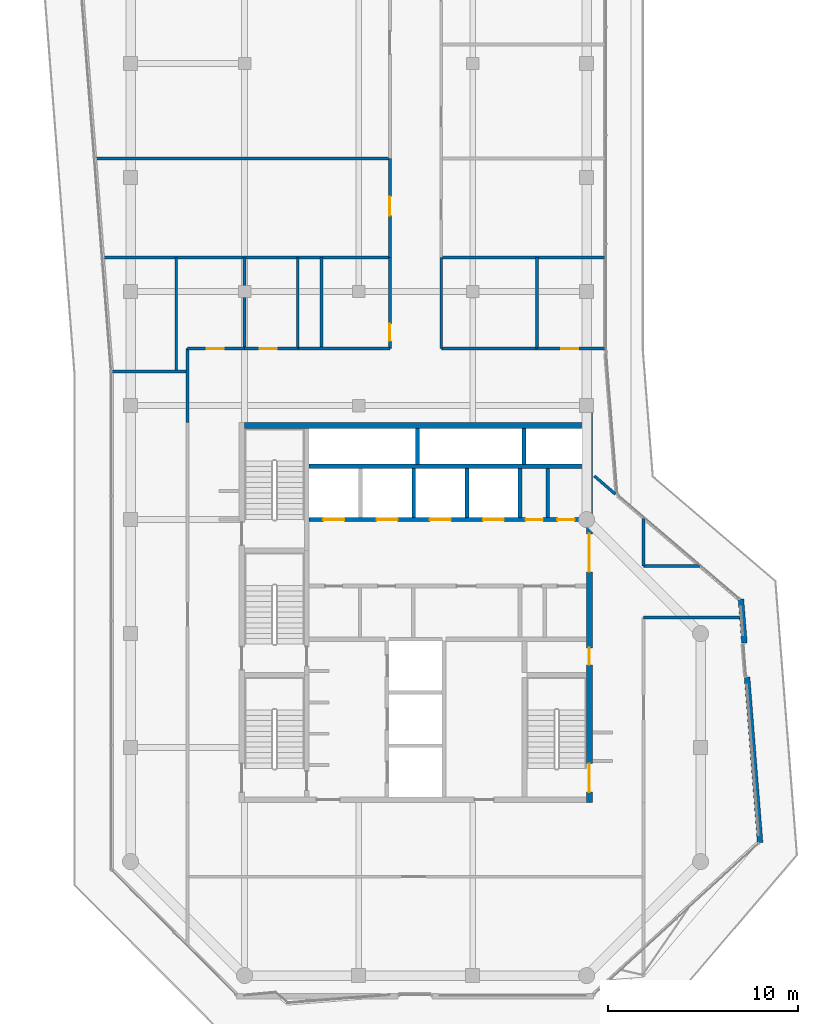
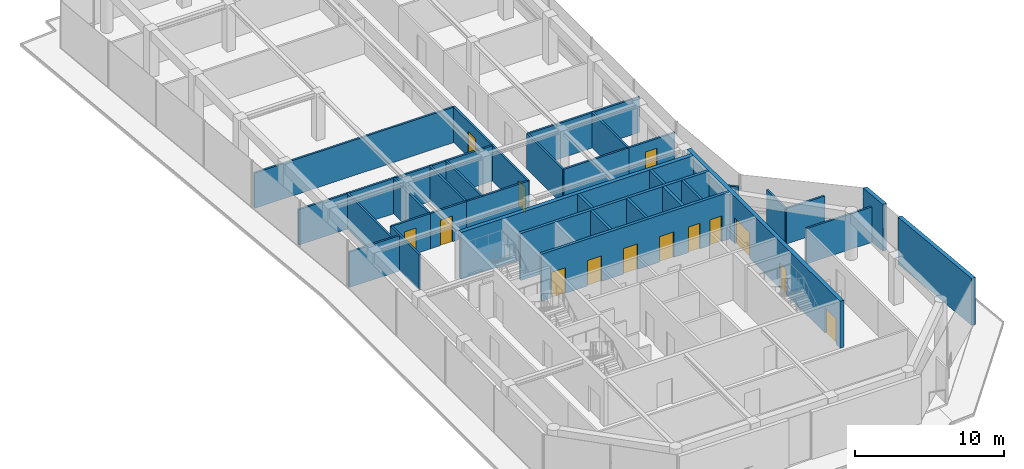
# One storey, part 20 of 23: 34 walls, 14 doors, 14 openings.
"""IFC4 building model written with IfcOpenShell, lengths in metres."""

import ifcopenshell
import ifcopenshell.guid

model = None  # the IFC model being written
_history = None  # IfcOwnerHistory: only IFC2X3 demands one
_inside = {}  # id of a spatial element -> (the spatial element, [elements in it])
_under = {}  # id of a project, library or spatial element -> (it, [spatial elements below it])
_declared = {}  # id of a project -> (the project, [libraries it declares])
_typed = {}  # id of a type object -> (the type object, [elements of that type])
_made_of = {}  # id of a material, layer set ... -> (it, [elements and type objects made of it])


def new_model(schema):
    """Start an empty IFC model of exactly this schema.

    Asked for "IFC4X3", IfcOpenShell would pick the latest addendum, in which some entities
    have other attributes; the version numbers below select the first issue.
    IFC2X3 requires an IfcOwnerHistory on every rooted entity: one is made here for all.
    """
    global model, _history
    if schema == "IFC4X3":
        model = ifcopenshell.file(schema_version=(4, 3, 0, 0))
    else:
        model = ifcopenshell.file(schema=schema)
    _inside.clear()
    _under.clear()
    _declared.clear()
    _typed.clear()
    _made_of.clear()
    _history = None
    if model.schema == "IFC2X3":
        org = make("IfcOrganization", Name="unknown")
        user = make(
            "IfcPersonAndOrganization",
            ThePerson=make("IfcPerson", FamilyName="unknown"),
            TheOrganization=org,
        )
        app = make(
            "IfcApplication",
            ApplicationDeveloper=org,
            Version="unknown",
            ApplicationFullName="unknown",
            ApplicationIdentifier="unknown",
        )
        _history = make(
            "IfcOwnerHistory",
            OwningUser=user,
            OwningApplication=app,
            ChangeAction="ADDED",
            CreationDate=0,
        )
    return model


def make(cls, **values):
    """One entity of the class cls with the attributes given. An attribute that is None is left unset."""
    return model.create_entity(
        cls, **{name: value for name, value in values.items() if value is not None}
    )


def rooted(cls, **values):
    """An entity with a GlobalId (a new one), such as an element, a storey or a relation."""
    return make(cls, GlobalId=ifcopenshell.guid.new(), OwnerHistory=_history, **values)


def si_unit(unit_type, name, prefix=None):
    """IfcSIUnit, for example si_unit("LENGTHUNIT", "METRE", prefix="MILLI")."""
    return make("IfcSIUnit", UnitType=unit_type, Prefix=prefix, Name=name)


def assignment(units):
    """IfcUnitAssignment: the units of a project."""
    return None if units is None else make("IfcUnitAssignment", Units=units)


def point(xyz):
    """IfcCartesianPoint."""
    return None if xyz is None else make("IfcCartesianPoint", Coordinates=xyz)


def direction(xyz):
    """IfcDirection."""
    return None if xyz is None else make("IfcDirection", DirectionRatios=xyz)


def frame(location, z_axis=None, x_axis=None):
    """IfcAxis2Placement3D, a coordinate frame: its origin and axes. An axis left out is left unset."""
    return make(
        "IfcAxis2Placement3D",
        Location=point(location),
        Axis=direction(z_axis),
        RefDirection=direction(x_axis),
    )


def frame_2d(location, x_axis=None):
    """IfcAxis2Placement2D, a coordinate frame in the plane: its origin and x axis."""
    return make(
        "IfcAxis2Placement2D", Location=point(location), RefDirection=direction(x_axis)
    )


def origin():
    """The frame at (0, 0, 0) with its axes left unset."""
    return frame((0.0, 0.0, 0.0))


def place(relative_to, where):
    """IfcLocalPlacement: puts the frame where relative to a parent placement (None: the world)."""
    return make(
        "IfcLocalPlacement", PlacementRelTo=relative_to, RelativePlacement=where
    )


def context(
    kind, dimensions, precision=None, world=None, true_north=None, identifier=None
):
    """IfcGeometricRepresentationContext, for example the 3D "Model" context."""
    return make(
        "IfcGeometricRepresentationContext",
        ContextIdentifier=identifier,
        ContextType=kind,
        CoordinateSpaceDimension=dimensions,
        Precision=precision,
        WorldCoordinateSystem=world,
        TrueNorth=true_north,
    )


def subcontext(parent, identifier, kind, view, scale=None):
    """IfcGeometricRepresentationSubContext, for example "Body" below "Model"."""
    return make(
        "IfcGeometricRepresentationSubContext",
        ContextIdentifier=identifier,
        ContextType=kind,
        ParentContext=parent,
        TargetScale=scale,
        TargetView=view,
    )


def project(units=None, contexts=None):
    """IfcProject with its units and contexts."""
    return rooted(
        "IfcProject",
        Name="project",
        RepresentationContexts=contexts,
        UnitsInContext=assignment(units),
    )


def spatial(cls, under=None, at=None, **own):
    """A site, building, storey or space (cls), placed at a placement, below another one or the project."""
    s = rooted(cls, ObjectPlacement=at, **own)
    if under is not None:
        _under.setdefault(under.id(), (under, []))[1].append(s)
    return s


def profile(cls, at=None, kind="AREA", **sizes):
    """A parametric profile (cls). Its sizes go by their IFC names, for example OverallWidth=200.0."""
    return make(cls, ProfileType=kind, Position=at, **sizes)


def rectangle(**sizes):
    """IfcRectangleProfileDef."""
    return profile("IfcRectangleProfileDef", **sizes)


def extrude(swept, where, along, depth):
    """IfcExtrudedAreaSolid: the profile swept, set in the frame where, extruded along a direction by depth."""
    return make(
        "IfcExtrudedAreaSolid",
        SweptArea=swept,
        Position=where,
        ExtrudedDirection=direction(along),
        Depth=depth,
    )


def shape(context_of_items, identifier, shape_type, items):
    """IfcShapeRepresentation: the items that make up one representation, for example the "Body"."""
    return make(
        "IfcShapeRepresentation",
        ContextOfItems=context_of_items,
        RepresentationIdentifier=identifier,
        RepresentationType=shape_type,
        Items=items,
    )


def material(Name=None, Category=None):
    """IfcMaterial."""
    return make("IfcMaterial", Name=Name, Category=Category)


def layer(
    of_material, thickness, ventilated=None, Name=None, Category=None, Priority=None
):
    """IfcMaterialLayer: one layer of a wall or slab, of a material (None: an air gap)."""
    return make(
        "IfcMaterialLayer",
        Material=of_material,
        LayerThickness=thickness,
        IsVentilated=ventilated,
        Name=Name,
        Category=Category,
        Priority=Priority,
    )


def layer_set(layers, Name=None):
    """IfcMaterialLayerSet."""
    return make("IfcMaterialLayerSet", MaterialLayers=layers, LayerSetName=Name)


def made_of(thing, what):
    """Note that an element or type object is made of a material, layer set ...; save() writes the relation."""
    if what is not None:
        _made_of.setdefault(what.id(), (what, []))[1].append(thing)
    return thing


def type_object(cls, material=None, **own):
    """A type object (cls), such as IfcWallType, which elements share."""
    return made_of(rooted(cls, **own), material)


def element(
    cls,
    number,
    at=None,
    inside=None,
    cuts=None,
    type_object=None,
    material=None,
    context=None,
    identifier="Body",
    shape_type=None,
    held_by="IfcProductDefinitionShape",
    body=None,
    shapes=None,
    **own,
):
    """One element of the class cls, such as IfcWall. Its Tag is "e" and its number.

    at: its placement. inside: the storey or other place that contains it. cuts: it is an
    opening in that element (IfcRelVoidsElement). A single representation is given by context,
    identifier, shape_type and body (its items); several are given by shapes. held_by: the class
    of the entity that holds the representations. save() writes the other relations.
    """
    e = rooted(cls, Tag="e%d" % number, ObjectPlacement=at, **own)
    if body is not None:
        shapes = [shape(context, identifier, shape_type, body)]
    if shapes is not None:
        e.Representation = make(held_by, Representations=shapes)
    if inside is not None:
        _inside.setdefault(inside.id(), (inside, []))[1].append(e)
    if cuts is not None:
        rooted(
            "IfcRelVoidsElement", RelatingBuildingElement=cuts, RelatedOpeningElement=e
        )
    if type_object is not None:
        _typed.setdefault(type_object.id(), (type_object, []))[1].append(e)
    return made_of(e, material)


def fill(opening, filler):
    """IfcRelFillsElement: the door or window that sits in an opening."""
    return rooted(
        "IfcRelFillsElement",
        RelatingOpeningElement=opening,
        RelatedBuildingElement=filler,
    )


def aggregate(whole, parts):
    """IfcRelAggregates: a whole, such as a stair, and the parts it consists of."""
    return rooted("IfcRelAggregates", RelatingObject=whole, RelatedObjects=parts)


def save(model, path):
    """Write the relations noted so far, then the file.

    IfcRelAggregates (storeys below a building ...), IfcRelContainedInSpatialStructure (elements
    in a storey), IfcRelDefinesByType, IfcRelAssociatesMaterial and IfcRelDeclares: one each for
    every whole, place, type object, material and project.
    """
    for whole, parts in _under.values():
        aggregate(whole, parts)
    for where, things in _inside.values():
        rooted(
            "IfcRelContainedInSpatialStructure",
            RelatedElements=things,
            RelatingStructure=where,
        )
    for kind, things in _typed.values():
        rooted("IfcRelDefinesByType", RelatedObjects=things, RelatingType=kind)
    for what, things in _made_of.values():
        rooted("IfcRelAssociatesMaterial", RelatedObjects=things, RelatingMaterial=what)
    for by, libraries in _declared.values():
        rooted("IfcRelDeclares", RelatingContext=by, RelatedDefinitions=libraries)
    model.write(path)


model = new_model("IFC4")

# Units and contexts
model_context = context("Model", 3, precision=1e-05, world=origin(), true_north=direction((0.0, 1.0)))
body_context = subcontext(model_context, "Body", "Model", "MODEL_VIEW")
ifc_project = project(units=[si_unit("LENGTHUNIT", "METRE"), si_unit("AREAUNIT", "SQUARE_METRE"), si_unit("VOLUMEUNIT", "CUBIC_METRE"), si_unit("PLANEANGLEUNIT", "RADIAN"), si_unit("MASSUNIT", "GRAM", prefix="KILO")], contexts=[model_context])

# Site, building, storey
site_placement = place(None, origin())
site = spatial("IfcSite", under=ifc_project, at=site_placement, CompositionType="ELEMENT")
building_placement = place(site_placement, origin())
building = spatial("IfcBuilding", under=site, at=building_placement, Name="Welwitschia Terrace Campus", CompositionType="ELEMENT")
storey_placement = place(building_placement, frame((0.0, 0.0, 306.199951171875)))
storey = spatial("IfcBuildingStorey", under=building, at=storey_placement, Name="L68", CompositionType="ELEMENT", Elevation=306.199951171875)

# Wall
ifc_material_1 = material(Name="Concrete C32/40", Category="concrete")
ifc_layer_1 = layer(ifc_material_1, 0.175048828125)
ifc_layer_set_1 = layer_set([ifc_layer_1], Name="Concrete C32/40")
wall_type_1 = type_object("IfcWallType", Name="Core partition 175 Concrete C32/40", PredefinedType="PARTITIONING", material=ifc_layer_set_1)
wall_1_placement = place(storey_placement, frame((21.9599609375, 20.10009765625, 0.0), z_axis=(0.0, 0.0, 1.0), x_axis=(0.0, 1.0, 0.0)))
element("IfcWall", 1, at=wall_1_placement, inside=storey, type_object=wall_type_1, Name="Core partition", PredefinedType="PARTITIONING", context=body_context, shape_type="SweptSolid", body=[
    extrude(rectangle(XDim=2.599853515625, YDim=0.175048828125, at=frame_2d((1.2998046875, 0.0))), origin(), (0.0, 0.0, 1.0), 3.85009765625),
])

# Wall, openings, doors
ifc_material_2 = material(Name="Concrete C32/40", Category="concrete")
ifc_layer_2 = layer(ifc_material_2, 0.22509765625)
ifc_layer_set_2 = layer_set([ifc_layer_2], Name="Concrete C32/40")
wall_type_2 = type_object("IfcWallType", Name="Core partition 225 Concrete C32/40", PredefinedType="PARTITIONING", material=ifc_layer_set_2)
wall_2_placement = place(storey_placement, frame((24.0, 20.0, 0.0), z_axis=(0.0, 0.0, 1.0), x_axis=(-1.0, 0.0, 0.0)))
wall_2 = element("IfcWall", 2, at=wall_2_placement, inside=storey, type_object=wall_type_2, Name="Shaft wall", PredefinedType="PARTITIONING", context=body_context, shape_type="SweptSolid", body=[
    extrude(rectangle(XDim=14.60009765625, YDim=0.22509765625, at=frame_2d((7.300048828125, 0.0))), origin(), (0.0, 0.0, 1.0), 3.85009765625),
])
opening_1_placement = place(wall_2_placement, frame((12.75, 0.0, 0.0)))
opening_1 = element("IfcOpeningElement", 3, at=opening_1_placement, cuts=wall_2, Name="Opening LD", PredefinedType="OPENING", context=body_context, shape_type="SweptSolid", body=[
    extrude(rectangle(XDim=1.10009765625, YDim=2.10009765625, at=frame_2d((0.550048828125, 1.050048828125))), frame((0.0, 0.12255859375, 0.0), z_axis=(0.0, -1.0, 0.0), x_axis=(1.0, 0.0, 0.0)), (0.0, 0.0, 1.0), 0.2451171875),
])
opening_2_placement = place(wall_2_placement, frame((9.949951171875, 0.0, 0.0)))
opening_2 = element("IfcOpeningElement", 4, at=opening_2_placement, cuts=wall_2, Name="Opening LD", PredefinedType="OPENING", context=body_context, shape_type="SweptSolid", body=[
    extrude(rectangle(XDim=1.10009765625, YDim=2.10009765625, at=frame_2d((0.550048828125, 1.050048828125))), frame((0.0, 0.12255859375, 0.0), z_axis=(0.0, -1.0, 0.0), x_axis=(1.0, 0.0, 0.0)), (0.0, 0.0, 1.0), 0.2451171875),
])
opening_3_placement = place(wall_2_placement, frame((7.14990234375, 0.0, 0.0)))
opening_3 = element("IfcOpeningElement", 5, at=opening_3_placement, cuts=wall_2, Name="Opening LD", PredefinedType="OPENING", context=body_context, shape_type="SweptSolid", body=[
    extrude(rectangle(XDim=1.10009765625, YDim=2.10009765625, at=frame_2d((0.550048828125, 1.050048828125))), frame((0.0, 0.12255859375, 0.0), z_axis=(0.0, -1.0, 0.0), x_axis=(1.0, 0.0, 0.0)), (0.0, 0.0, 1.0), 0.2451171875),
])
opening_4_placement = place(wall_2_placement, frame((4.35009765625, 0.0, 0.0)))
opening_4 = element("IfcOpeningElement", 6, at=opening_4_placement, cuts=wall_2, Name="Opening LD", PredefinedType="OPENING", context=body_context, shape_type="SweptSolid", body=[
    extrude(rectangle(XDim=1.10009765625, YDim=2.10009765625, at=frame_2d((0.550048828125, 1.050048828125))), frame((0.0, 0.12255859375, 0.0), z_axis=(0.0, -1.0, 0.0), x_axis=(1.0, 0.0, 0.0)), (0.0, 0.0, 1.0), 0.2451171875),
])
opening_5_placement = place(wall_2_placement, frame((2.3076171875, 0.0, 0.0)))
opening_5 = element("IfcOpeningElement", 7, at=opening_5_placement, cuts=wall_2, Name="Opening DR09", PredefinedType="OPENING", context=body_context, shape_type="SweptSolid", body=[
    extrude(rectangle(XDim=0.89990234375, YDim=2.10009765625, at=frame_2d((0.449951171875, 1.050048828125))), frame((0.0, 0.12255859375, 0.0), z_axis=(0.0, -1.0, 0.0), x_axis=(1.0, 0.0, 0.0)), (0.0, 0.0, 1.0), 0.2451171875),
])
opening_6_placement = place(wall_2_placement, frame((0.633056640625, 0.0, 0.0)))
opening_6 = element("IfcOpeningElement", 8, at=opening_6_placement, cuts=wall_2, Name="Opening DR09", PredefinedType="OPENING", context=body_context, shape_type="SweptSolid", body=[
    extrude(rectangle(XDim=0.89990234375, YDim=2.10009765625, at=frame_2d((0.449951171875, 1.050048828125))), frame((0.0, 0.12255859375, 0.0), z_axis=(0.0, -1.0, 0.0), x_axis=(1.0, 0.0, 0.0)), (0.0, 0.0, 1.0), 0.2451171875),
])
ifc_material_3 = material(Name="Steel S275", Category="steel")
door_type_1 = type_object("IfcDoorType", Name="Core door DR09", OperationType="SINGLE_SWING_LEFT", PredefinedType="DOOR", material=ifc_material_3)
door_1_placement = place(opening_5_placement, origin())
door_1 = element("IfcDoor", 9, at=door_1_placement, inside=storey, type_object=door_type_1, Name="Door EH1-D", OperationType="SINGLE_SWING_LEFT", OverallHeight=2.10009765625, OverallWidth=0.89990234375, PredefinedType="DOOR", context=body_context, shape_type="SweptSolid", body=[
    extrude(rectangle(XDim=0.89990234375, YDim=2.10009765625, at=frame_2d((0.449951171875, 1.050048828125))), frame((0.0, 0.02490234375, 0.0), z_axis=(0.0, -1.0, 0.0), x_axis=(1.0, 0.0, 0.0)), (0.0, 0.0, 1.0), 0.050048828125),
])
fill(opening_5, door_1)
door_2_placement = place(opening_6_placement, origin())
door_2 = element("IfcDoor", 10, at=door_2_placement, inside=storey, type_object=door_type_1, Name="Door EH2-D", OperationType="SINGLE_SWING_LEFT", OverallHeight=2.10009765625, OverallWidth=0.89990234375, PredefinedType="DOOR", context=body_context, shape_type="SweptSolid", body=[
    extrude(rectangle(XDim=0.89990234375, YDim=2.10009765625, at=frame_2d((0.449951171875, 1.050048828125))), frame((0.0, 0.02490234375, 0.0), z_axis=(0.0, -1.0, 0.0), x_axis=(1.0, 0.0, 0.0)), (0.0, 0.0, 1.0), 0.050048828125),
])
fill(opening_6, door_2)
ifc_material_4 = material(Name="Stainless steel 304", Category="steel")
door_type_2 = type_object("IfcDoorType", Name="Lift landing door", OperationType="DOUBLE_DOOR_SLIDING", PredefinedType="DOOR", material=ifc_material_4)
door_3_placement = place(opening_1_placement, origin())
door_3 = element("IfcDoor", 11, at=door_3_placement, inside=storey, type_object=door_type_2, Name="Landing door HR1", OperationType="DOUBLE_DOOR_SLIDING", OverallHeight=2.10009765625, OverallWidth=1.10009765625, PredefinedType="DOOR", context=body_context, shape_type="SweptSolid", body=[
    extrude(rectangle(XDim=1.10009765625, YDim=2.10009765625, at=frame_2d((0.550048828125, 1.050048828125))), frame((0.0, 0.02490234375, 0.0), z_axis=(0.0, -1.0, 0.0), x_axis=(1.0, 0.0, 0.0)), (0.0, 0.0, 1.0), 0.050048828125),
])
fill(opening_1, door_3)
door_4_placement = place(opening_2_placement, origin())
door_4 = element("IfcDoor", 12, at=door_4_placement, inside=storey, type_object=door_type_2, Name="Landing door HR2", OperationType="DOUBLE_DOOR_SLIDING", OverallHeight=2.10009765625, OverallWidth=1.10009765625, PredefinedType="DOOR", context=body_context, shape_type="SweptSolid", body=[
    extrude(rectangle(XDim=1.10009765625, YDim=2.10009765625, at=frame_2d((0.550048828125, 1.050048828125))), frame((0.0, 0.02490234375, 0.0), z_axis=(0.0, -1.0, 0.0), x_axis=(1.0, 0.0, 0.0)), (0.0, 0.0, 1.0), 0.050048828125),
])
fill(opening_2, door_4)
door_5_placement = place(opening_3_placement, origin())
door_5 = element("IfcDoor", 13, at=door_5_placement, inside=storey, type_object=door_type_2, Name="Landing door HR3", OperationType="DOUBLE_DOOR_SLIDING", OverallHeight=2.10009765625, OverallWidth=1.10009765625, PredefinedType="DOOR", context=body_context, shape_type="SweptSolid", body=[
    extrude(rectangle(XDim=1.10009765625, YDim=2.10009765625, at=frame_2d((0.550048828125, 1.050048828125))), frame((0.0, 0.02490234375, 0.0), z_axis=(0.0, -1.0, 0.0), x_axis=(1.0, 0.0, 0.0)), (0.0, 0.0, 1.0), 0.050048828125),
])
fill(opening_3, door_5)
door_6_placement = place(opening_4_placement, origin())
door_6 = element("IfcDoor", 14, at=door_6_placement, inside=storey, type_object=door_type_2, Name="Landing door HR4", OperationType="DOUBLE_DOOR_SLIDING", OverallHeight=2.10009765625, OverallWidth=1.10009765625, PredefinedType="DOOR", context=body_context, shape_type="SweptSolid", body=[
    extrude(rectangle(XDim=1.10009765625, YDim=2.10009765625, at=frame_2d((0.550048828125, 1.050048828125))), frame((0.0, 0.02490234375, 0.0), z_axis=(0.0, -1.0, 0.0), x_axis=(1.0, 0.0, 0.0)), (0.0, 0.0, 1.0), 0.050048828125),
])
fill(opening_4, door_6)

# Walls
wall_3_placement = place(storey_placement, frame((9.39990234375, 22.800048828125, 0.0), z_axis=(0.0, 0.0, 1.0), x_axis=(1.0, 0.0, 0.0)))
element("IfcWall", 15, at=wall_3_placement, inside=storey, type_object=wall_type_2, Name="Shaft wall", PredefinedType="PARTITIONING", context=body_context, shape_type="SweptSolid", body=[
    extrude(rectangle(XDim=14.60009765625, YDim=0.22509765625, at=frame_2d((7.300048828125, 0.0))), origin(), (0.0, 0.0, 1.0), 3.85009765625),
])
wall_4_placement = place(storey_placement, frame((20.5, 20.10009765625, 0.0), z_axis=(0.0, 0.0, 1.0), x_axis=(0.0, 1.0, 0.0)))
element("IfcWall", 16, at=wall_4_placement, inside=storey, type_object=wall_type_2, Name="Shaft wall", PredefinedType="PARTITIONING", context=body_context, shape_type="SweptSolid", body=[
    extrude(rectangle(XDim=2.599853515625, YDim=0.22509765625, at=frame_2d((1.2998046875, 0.0))), origin(), (0.0, 0.0, 1.0), 3.85009765625),
])
ifc_material_5 = material(Name="Concrete C50/60", Category="concrete")
ifc_layer_3 = layer(ifc_material_5, 0.199951171875)
ifc_layer_set_3 = layer_set([ifc_layer_3], Name="Concrete C50/60")
wall_type_3 = type_object("IfcWallType", Name="Core wall 200 Concrete C50/60", PredefinedType="SHEAR", material=ifc_layer_set_3)
for number, where, z_axis, x_axis, name in (
    (17, (15.10009765625, 22.89990234375, 0.0), (0.0, 0.0, 1.0), (0.0, 1.0, 0.0), "Core wall"),
    (18, (20.699951171875, 22.89990234375, 0.0), (0.0, 0.0, 1.0), (0.0, 1.0, 0.0), "Core wall"),
):
    element("IfcWall", number, at=place(storey_placement, frame(where, z_axis=z_axis, x_axis=x_axis)), inside=storey, type_object=wall_type_3, Name=name, PredefinedType="SHEAR", context=body_context, shape_type="SweptSolid", body=[
        extrude(rectangle(XDim=1.900146484375, YDim=0.199951171875, at=frame_2d((0.9501953125, 0.0))), origin(), (0.0, 0.0, 1.0), 3.85009765625),
    ])

# Wall, openings, doors
ifc_material_6 = material(Name="Concrete C50/60", Category="concrete")
ifc_layer_4 = layer(ifc_material_6, 0.300048828125)
ifc_layer_set_4 = layer_set([ifc_layer_4], Name="Concrete C50/60")
wall_type_4 = type_object("IfcWallType", Name="Core wall 300 Concrete C50/60", PredefinedType="SHEAR", material=ifc_layer_set_4)
wall_5_placement = place(storey_placement, frame((24.14990234375, 25.655029296875, 0.0), z_axis=(0.0, 0.0, 1.0), x_axis=(0.0, -1.0, 0.0)))
wall_5 = element("IfcWall", 19, at=wall_5_placement, inside=storey, type_object=wall_type_4, Name="Core outer wall", PredefinedType="SHEAR", context=body_context, shape_type="SweptSolid", body=[
    extrude(rectangle(XDim=20.554931640625, YDim=0.300048828125, at=frame_2d((10.27734375, 0.0))), origin(), (0.0, 0.0, 1.0), 3.85009765625),
])
opening_7_placement = place(wall_5_placement, frame((18.5048828125, 0.0, 0.0)))
opening_7 = element("IfcOpeningElement", 20, at=opening_7_placement, cuts=wall_5, Name="Opening DS15", PredefinedType="OPENING", context=body_context, shape_type="SweptSolid", body=[
    extrude(rectangle(XDim=1.5, YDim=2.10009765625, at=frame_2d((0.75, 1.050048828125))), frame((0.0, 0.159912109375, 0.0), z_axis=(0.0, -1.0, 0.0), x_axis=(1.0, 0.0, 0.0)), (0.0, 0.0, 1.0), 0.320068359375),
])
opening_8_placement = place(wall_5_placement, frame((12.405029296875, 0.0, 0.0)))
opening_8 = element("IfcOpeningElement", 21, at=opening_8_placement, cuts=wall_5, Name="Opening DR09", PredefinedType="OPENING", context=body_context, shape_type="SweptSolid", body=[
    extrude(rectangle(XDim=0.89990234375, YDim=2.10009765625, at=frame_2d((0.449951171875, 1.050048828125))), frame((0.0, 0.159912109375, 0.0), z_axis=(0.0, -1.0, 0.0), x_axis=(1.0, 0.0, 0.0)), (0.0, 0.0, 1.0), 0.320068359375),
])
opening_9_placement = place(wall_5_placement, frame((6.405029296875, 0.0, 0.0)))
opening_9 = element("IfcOpeningElement", 22, at=opening_9_placement, cuts=wall_5, Name="Opening DL20", PredefinedType="OPENING", context=body_context, shape_type="SweptSolid", body=[
    extrude(rectangle(XDim=2.0, YDim=2.10009765625, at=frame_2d((1.0, 1.050048828125))), frame((0.0, 0.159912109375, 0.0), z_axis=(0.0, -1.0, 0.0), x_axis=(1.0, 0.0, 0.0)), (0.0, 0.0, 1.0), 0.320068359375),
])
ifc_material_7 = material(Name="Steel S275", Category="steel")
door_type_3 = type_object("IfcDoorType", Name="Core door DL20", OperationType="DOUBLE_DOOR_SINGLE_SWING", PredefinedType="DOOR", material=ifc_material_7)
door_7_placement = place(opening_9_placement, origin())
door_7 = element("IfcDoor", 23, at=door_7_placement, inside=storey, type_object=door_type_3, Name="Door LOBBY-out", OperationType="DOUBLE_DOOR_SINGLE_SWING", OverallHeight=2.10009765625, OverallWidth=2.0, PredefinedType="DOOR", context=body_context, shape_type="SweptSolid", body=[
    extrude(rectangle(XDim=2.0, YDim=2.10009765625, at=frame_2d((1.0, 1.050048828125))), frame((0.0, 0.02490234375, 0.0), z_axis=(0.0, -1.0, 0.0), x_axis=(1.0, 0.0, 0.0)), (0.0, 0.0, 1.0), 0.050048828125),
])
fill(opening_9, door_7)
door_8_placement = place(opening_8_placement, origin())
door_8 = element("IfcDoor", 24, at=door_8_placement, inside=storey, type_object=door_type_1, Name="Door F1B-out", OperationType="SINGLE_SWING_RIGHT", OverallHeight=2.10009765625, OverallWidth=0.89990234375, PredefinedType="DOOR", context=body_context, shape_type="SweptSolid", body=[
    extrude(rectangle(XDim=0.89990234375, YDim=2.10009765625, at=frame_2d((0.449951171875, 1.050048828125))), frame((0.0, 0.02490234375, 0.0), z_axis=(0.0, -1.0, 0.0), x_axis=(1.0, 0.0, 0.0)), (0.0, 0.0, 1.0), 0.050048828125),
])
fill(opening_8, door_8)
ifc_material_8 = material(Name="Steel S275", Category="steel")
door_type_4 = type_object("IfcDoorType", Name="Core door DS15", OperationType="DOUBLE_DOOR_SINGLE_SWING", PredefinedType="DOOR", material=ifc_material_8)
door_9_placement = place(opening_7_placement, origin())
door_9 = element("IfcDoor", 25, at=door_9_placement, inside=storey, type_object=door_type_4, Name="Door S2-out", OperationType="DOUBLE_DOOR_SINGLE_SWING", OverallHeight=2.10009765625, OverallWidth=1.5, PredefinedType="DOOR", context=body_context, shape_type="SweptSolid", body=[
    extrude(rectangle(XDim=1.5, YDim=2.10009765625, at=frame_2d((0.75, 1.050048828125))), frame((0.0, 0.02490234375, 0.0), z_axis=(0.0, -1.0, 0.0), x_axis=(1.0, 0.0, 0.0)), (0.0, 0.0, 1.0), 0.050048828125),
])
fill(opening_7, door_9)

# Walls
wall_6_placement = place(storey_placement, frame((6.0, 24.949951171875, 0.0), z_axis=(0.0, 0.0, 1.0), x_axis=(1.0, 0.0, 0.0)))
element("IfcWall", 26, at=wall_6_placement, inside=storey, type_object=wall_type_4, Name="Core outer wall", PredefinedType="SHEAR", context=body_context, shape_type="SweptSolid", body=[
    extrude(rectangle(XDim=18.0, YDim=0.300048828125, at=frame_2d((9.0, 0.0))), origin(), (0.0, 0.0, 1.0), 3.85009765625),
])
ifc_material_9 = material(Name="Gypsum board on steel studs", Category="steel")
ifc_layer_5 = layer(ifc_material_9, 0.14990234375)
ifc_layer_set_5 = layer_set([ifc_layer_5], Name="Gypsum board on steel studs")
wall_type_5 = type_object("IfcWallType", Name="Corridor partition 150 EI 30", PredefinedType="PARTITIONING", material=ifc_layer_set_5)
wall_7_placement = place(storey_placement, frame((-1.855712890625, 39.0, 0.0), z_axis=(0.0, 0.0, 1.0), x_axis=(1.0, 0.0, 0.0)))
element("IfcWall", 27, at=wall_7_placement, inside=storey, type_object=wall_type_5, Name="Partition", PredefinedType="PARTITIONING", context=body_context, shape_type="SweptSolid", body=[
    extrude(rectangle(XDim=15.505615234375, YDim=0.14990234375, at=frame_2d((7.7529296875, 0.0))), origin(), (0.0, 0.0, 1.0), 2.900146484375),
])
wall_8_placement = place(storey_placement, frame((-1.449951171875, 33.800048828125, 0.0), z_axis=(0.0, 0.0, 1.0), x_axis=(1.0, 0.0, 0.0)))
element("IfcWall", 28, at=wall_8_placement, inside=storey, type_object=wall_type_5, Name="Partition", PredefinedType="PARTITIONING", context=body_context, shape_type="SweptSolid", body=[
    extrude(rectangle(XDim=15.099853515625, YDim=0.14990234375, at=frame_2d((7.5498046875, 0.0))), origin(), (0.0, 0.0, 1.0), 2.900146484375),
])
wall_9_placement = place(storey_placement, frame((-0.96728515625, 27.800048828125, 0.0), z_axis=(0.0, 0.0, 1.0), x_axis=(1.0, 0.0, 0.0)))
element("IfcWall", 29, at=wall_9_placement, inside=storey, type_object=wall_type_5, Name="Partition", PredefinedType="PARTITIONING", context=body_context, shape_type="SweptSolid", body=[
    extrude(rectangle(XDim=3.96728515625, YDim=0.14990234375, at=frame_2d((1.983642578125, 0.0))), origin(), (0.0, 0.0, 1.0), 2.900146484375),
])
wall_10_placement = place(storey_placement, frame((2.39990234375, 27.800048828125, 0.0), z_axis=(0.0, 0.0, 1.0), x_axis=(0.0, 1.0, 0.0)))
element("IfcWall", 30, at=wall_10_placement, inside=storey, type_object=wall_type_5, Name="Partition", PredefinedType="PARTITIONING", context=body_context, shape_type="SweptSolid", body=[
    extrude(rectangle(XDim=6.0, YDim=0.14990234375, at=frame_2d((3.0, 0.0))), origin(), (0.0, 0.0, 1.0), 2.900146484375),
])
wall_11_placement = place(storey_placement, frame((3.0, 25.10009765625, 0.0), z_axis=(0.0, 0.0, 1.0), x_axis=(0.0, 1.0, 0.0)))
element("IfcWall", 31, at=wall_11_placement, inside=storey, type_object=wall_type_5, Name="Partition", PredefinedType="PARTITIONING", context=body_context, shape_type="SweptSolid", body=[
    extrude(rectangle(XDim=3.89990234375, YDim=0.14990234375, at=frame_2d((1.949951171875, 0.0))), origin(), (0.0, 0.0, 1.0), 2.900146484375),
])

# Wall, opening, door
wall_12_placement = place(storey_placement, frame((3.0, 29.0, 0.0), z_axis=(0.0, 0.0, 1.0), x_axis=(1.0, 0.0, 0.0)))
wall_12 = element("IfcWall", 32, at=wall_12_placement, inside=storey, type_object=wall_type_5, Name="Partition", PredefinedType="PARTITIONING", context=body_context, shape_type="SweptSolid", body=[
    extrude(rectangle(XDim=3.0, YDim=0.14990234375, at=frame_2d((1.5, 0.0))), origin(), (0.0, 0.0, 1.0), 2.900146484375),
])
opening_10_placement = place(wall_12_placement, frame((1.0, 0.0, 0.0)))
opening_10 = element("IfcOpeningElement", 33, at=opening_10_placement, cuts=wall_12, Name="Opening DI09", PredefinedType="OPENING", context=body_context, shape_type="SweptSolid", body=[
    extrude(rectangle(XDim=0.89990234375, YDim=2.10009765625, at=frame_2d((0.449951171875, 1.050048828125))), frame((0.0, 0.0849609375, 0.0), z_axis=(0.0, -1.0, 0.0), x_axis=(1.0, 0.0, 0.0)), (0.0, 0.0, 1.0), 0.169921875),
])
ifc_material_10 = material(Name="Timber veneered door", Category="wood")
door_type_5 = type_object("IfcDoorType", Name="Interior door DI09", OperationType="NOTDEFINED", PredefinedType="DOOR", material=ifc_material_10)
door_10_placement = place(opening_10_placement, origin())
door_10 = element("IfcDoor", 34, at=door_10_placement, inside=storey, type_object=door_type_5, Name="Door L68 1200", OperationType="SINGLE_SWING_LEFT", OverallHeight=2.10009765625, OverallWidth=0.89990234375, PredefinedType="DOOR", context=body_context, shape_type="SweptSolid", body=[
    extrude(rectangle(XDim=0.89990234375, YDim=2.10009765625, at=frame_2d((0.449951171875, 1.050048828125))), frame((0.0, 0.02490234375, 0.0), z_axis=(0.0, -1.0, 0.0), x_axis=(1.0, 0.0, 0.0)), (0.0, 0.0, 1.0), 0.050048828125),
])
fill(opening_10, door_10)

# Wall
wall_13_placement = place(storey_placement, frame((6.0, 29.0, 0.0), z_axis=(0.0, 0.0, 1.0), x_axis=(0.0, 1.0, 0.0)))
element("IfcWall", 35, at=wall_13_placement, inside=storey, type_object=wall_type_5, Name="Partition", PredefinedType="PARTITIONING", context=body_context, shape_type="SweptSolid", body=[
    extrude(rectangle(XDim=4.800048828125, YDim=0.14990234375, at=frame_2d((2.39990234375, 0.0))), origin(), (0.0, 0.0, 1.0), 2.900146484375),
])

# Wall, opening, door
wall_14_placement = place(storey_placement, frame((6.0, 29.0, 0.0), z_axis=(0.0, 0.0, 1.0), x_axis=(1.0, 0.0, 0.0)))
wall_14 = element("IfcWall", 36, at=wall_14_placement, inside=storey, type_object=wall_type_5, Name="Partition", PredefinedType="PARTITIONING", context=body_context, shape_type="SweptSolid", body=[
    extrude(rectangle(XDim=2.800048828125, YDim=0.14990234375, at=frame_2d((1.39990234375, 0.0))), origin(), (0.0, 0.0, 1.0), 2.900146484375),
])
opening_11_placement = place(wall_14_placement, frame((0.800048828125, 0.0, 0.0)))
opening_11 = element("IfcOpeningElement", 37, at=opening_11_placement, cuts=wall_14, Name="Opening DI09", PredefinedType="OPENING", context=body_context, shape_type="SweptSolid", body=[
    extrude(rectangle(XDim=0.89990234375, YDim=2.10009765625, at=frame_2d((0.449951171875, 1.050048828125))), frame((0.0, 0.0849609375, 0.0), z_axis=(0.0, -1.0, 0.0), x_axis=(1.0, 0.0, 0.0)), (0.0, 0.0, 1.0), 0.169921875),
])
door_11_placement = place(opening_11_placement, origin())
door_11 = element("IfcDoor", 38, at=door_11_placement, inside=storey, type_object=door_type_5, Name="Door L68 1201", OperationType="SINGLE_SWING_RIGHT", OverallHeight=2.10009765625, OverallWidth=0.89990234375, PredefinedType="DOOR", context=body_context, shape_type="SweptSolid", body=[
    extrude(rectangle(XDim=0.89990234375, YDim=2.10009765625, at=frame_2d((0.449951171875, 1.050048828125))), frame((0.0, 0.02490234375, 0.0), z_axis=(0.0, -1.0, 0.0), x_axis=(1.0, 0.0, 0.0)), (0.0, 0.0, 1.0), 0.050048828125),
])
fill(opening_11, door_11)

# Walls
wall_15_placement = place(storey_placement, frame((8.800048828125, 29.0, 0.0), z_axis=(0.0, 0.0, 1.0), x_axis=(0.0, 1.0, 0.0)))
element("IfcWall", 39, at=wall_15_placement, inside=storey, type_object=wall_type_5, Name="Partition", PredefinedType="PARTITIONING", context=body_context, shape_type="SweptSolid", body=[
    extrude(rectangle(XDim=4.800048828125, YDim=0.14990234375, at=frame_2d((2.39990234375, 0.0))), origin(), (0.0, 0.0, 1.0), 2.900146484375),
])
wall_16_placement = place(storey_placement, frame((8.800048828125, 29.0, 0.0), z_axis=(0.0, 0.0, 1.0), x_axis=(1.0, 0.0, 0.0)))
element("IfcWall", 40, at=wall_16_placement, inside=storey, type_object=wall_type_5, Name="Partition", PredefinedType="PARTITIONING", context=body_context, shape_type="SweptSolid", body=[
    extrude(rectangle(XDim=4.849853515625, YDim=0.14990234375, at=frame_2d((2.4248046875, 0.0))), origin(), (0.0, 0.0, 1.0), 2.900146484375),
])
wall_17_placement = place(storey_placement, frame((10.050048828125, 29.0, 0.0), z_axis=(0.0, 0.0, 1.0), x_axis=(0.0, 1.0, 0.0)))
element("IfcWall", 41, at=wall_17_placement, inside=storey, type_object=wall_type_5, Name="Partition", PredefinedType="PARTITIONING", context=body_context, shape_type="SweptSolid", body=[
    extrude(rectangle(XDim=4.800048828125, YDim=0.14990234375, at=frame_2d((2.39990234375, 0.0))), origin(), (0.0, 0.0, 1.0), 2.900146484375),
])

# Wall, opening, door
wall_18_placement = place(storey_placement, frame((13.64990234375, 29.0, 0.0), z_axis=(0.0, 0.0, 1.0), x_axis=(0.0, 1.0, 0.0)))
wall_18 = element("IfcWall", 42, at=wall_18_placement, inside=storey, type_object=wall_type_5, Name="Partition", PredefinedType="PARTITIONING", context=body_context, shape_type="SweptSolid", body=[
    extrude(rectangle(XDim=4.800048828125, YDim=0.14990234375, at=frame_2d((2.39990234375, 0.0))), origin(), (0.0, 0.0, 1.0), 2.900146484375),
])
opening_12_placement = place(wall_18_placement, frame((0.39990234375, 0.0, 0.0)))
opening_12 = element("IfcOpeningElement", 43, at=opening_12_placement, cuts=wall_18, Name="Opening DI09", PredefinedType="OPENING", context=body_context, shape_type="SweptSolid", body=[
    extrude(rectangle(XDim=0.89990234375, YDim=2.10009765625, at=frame_2d((0.449951171875, 1.050048828125))), frame((0.0, 0.0849609375, 0.0), z_axis=(0.0, -1.0, 0.0), x_axis=(1.0, 0.0, 0.0)), (0.0, 0.0, 1.0), 0.169921875),
])
door_12_placement = place(opening_12_placement, origin())
door_12 = element("IfcDoor", 44, at=door_12_placement, inside=storey, type_object=door_type_5, Name="Door L68 1202", OperationType="SINGLE_SWING_LEFT", OverallHeight=2.10009765625, OverallWidth=0.89990234375, PredefinedType="DOOR", context=body_context, shape_type="SweptSolid", body=[
    extrude(rectangle(XDim=0.89990234375, YDim=2.10009765625, at=frame_2d((0.449951171875, 1.050048828125))), frame((0.0, 0.02490234375, 0.0), z_axis=(0.0, -1.0, 0.0), x_axis=(1.0, 0.0, 0.0)), (0.0, 0.0, 1.0), 0.050048828125),
])
fill(opening_12, door_12)

wall_19_placement = place(storey_placement, frame((13.64990234375, 33.800048828125, 0.0), z_axis=(0.0, 0.0, 1.0), x_axis=(0.0, 1.0, 0.0)))
wall_19 = element("IfcWall", 45, at=wall_19_placement, inside=storey, type_object=wall_type_5, Name="Partition", PredefinedType="PARTITIONING", context=body_context, shape_type="SweptSolid", body=[
    extrude(rectangle(XDim=5.199951171875, YDim=0.14990234375, at=frame_2d((2.60009765625, 0.0))), origin(), (0.0, 0.0, 1.0), 2.900146484375),
])
opening_13_placement = place(wall_19_placement, frame((2.199951171875, 0.0, 0.0)))
opening_13 = element("IfcOpeningElement", 46, at=opening_13_placement, cuts=wall_19, Name="Opening DI10", PredefinedType="OPENING", context=body_context, shape_type="SweptSolid", body=[
    extrude(rectangle(XDim=1.0, YDim=2.10009765625, at=frame_2d((0.5, 1.050048828125))), frame((0.0, 0.0849609375, 0.0), z_axis=(0.0, -1.0, 0.0), x_axis=(1.0, 0.0, 0.0)), (0.0, 0.0, 1.0), 0.169921875),
])
ifc_material_11 = material(Name="Timber veneered door", Category="wood")
door_type_6 = type_object("IfcDoorType", Name="Interior door DI10", OperationType="NOTDEFINED", PredefinedType="DOOR", material=ifc_material_11)
door_13_placement = place(opening_13_placement, origin())
door_13 = element("IfcDoor", 47, at=door_13_placement, inside=storey, type_object=door_type_6, Name="Door L68 1203", OperationType="SINGLE_SWING_RIGHT", OverallHeight=2.10009765625, OverallWidth=1.0, PredefinedType="DOOR", context=body_context, shape_type="SweptSolid", body=[
    extrude(rectangle(XDim=1.0, YDim=2.10009765625, at=frame_2d((0.5, 1.050048828125))), frame((0.0, 0.02490234375, 0.0), z_axis=(0.0, -1.0, 0.0), x_axis=(1.0, 0.0, 0.0)), (0.0, 0.0, 1.0), 0.050048828125),
])
fill(opening_13, door_13)

# Walls
wall_20_placement = place(storey_placement, frame((16.35009765625, 29.0, 0.0), z_axis=(0.0, 0.0, 1.0), x_axis=(0.0, 1.0, 0.0)))
element("IfcWall", 48, at=wall_20_placement, inside=storey, type_object=wall_type_5, Name="Partition", PredefinedType="PARTITIONING", context=body_context, shape_type="SweptSolid", body=[
    extrude(rectangle(XDim=4.800048828125, YDim=0.14990234375, at=frame_2d((2.39990234375, 0.0))), origin(), (0.0, 0.0, 1.0), 2.900146484375),
])
wall_21_placement = place(storey_placement, frame((16.35009765625, 29.0, 0.0), z_axis=(0.0, 0.0, 1.0), x_axis=(1.0, 0.0, 0.0)))
element("IfcWall", 49, at=wall_21_placement, inside=storey, type_object=wall_type_5, Name="Partition", PredefinedType="PARTITIONING", context=body_context, shape_type="SweptSolid", body=[
    extrude(rectangle(XDim=5.02978515625, YDim=0.14990234375, at=frame_2d((2.514892578125, 0.0))), origin(), (0.0, 0.0, 1.0), 2.900146484375),
])
wall_22_placement = place(storey_placement, frame((16.35009765625, 33.800048828125, 0.0), z_axis=(0.0, 0.0, 1.0), x_axis=(1.0, 0.0, 0.0)))
element("IfcWall", 50, at=wall_22_placement, inside=storey, type_object=wall_type_5, Name="Partition", PredefinedType="PARTITIONING", context=body_context, shape_type="SweptSolid", body=[
    extrude(rectangle(XDim=8.6298828125, YDim=0.14990234375, at=frame_2d((4.31494140625, 0.0))), origin(), (0.0, 0.0, 1.0), 2.900146484375),
])
wall_23_placement = place(storey_placement, frame((21.3798828125, 29.0, 0.0), z_axis=(0.0, 0.0, 1.0), x_axis=(0.0, 1.0, 0.0)))
element("IfcWall", 51, at=wall_23_placement, inside=storey, type_object=wall_type_5, Name="Partition", PredefinedType="PARTITIONING", context=body_context, shape_type="SweptSolid", body=[
    extrude(rectangle(XDim=4.800048828125, YDim=0.14990234375, at=frame_2d((2.39990234375, 0.0))), origin(), (0.0, 0.0, 1.0), 2.900146484375),
])

# Wall, opening, door
wall_24_placement = place(storey_placement, frame((21.3798828125, 29.0, 0.0), z_axis=(0.0, 0.0, 1.0), x_axis=(1.0, 0.0, 0.0)))
wall_24 = element("IfcWall", 52, at=wall_24_placement, inside=storey, type_object=wall_type_5, Name="Partition", PredefinedType="PARTITIONING", context=body_context, shape_type="SweptSolid", body=[
    extrude(rectangle(XDim=3.590087890625, YDim=0.14990234375, at=frame_2d((1.794921875, 0.0))), origin(), (0.0, 0.0, 1.0), 2.900146484375),
])
opening_14_placement = place(wall_24_placement, frame((1.2900390625, 0.0, 0.0)))
opening_14 = element("IfcOpeningElement", 53, at=opening_14_placement, cuts=wall_24, Name="Opening DI09", PredefinedType="OPENING", context=body_context, shape_type="SweptSolid", body=[
    extrude(rectangle(XDim=0.89990234375, YDim=2.10009765625, at=frame_2d((0.449951171875, 1.050048828125))), frame((0.0, 0.0849609375, 0.0), z_axis=(0.0, -1.0, 0.0), x_axis=(1.0, 0.0, 0.0)), (0.0, 0.0, 1.0), 0.169921875),
])
door_14_placement = place(opening_14_placement, origin())
door_14 = element("IfcDoor", 54, at=door_14_placement, inside=storey, type_object=door_type_5, Name="Door L68 1211", OperationType="SINGLE_SWING_RIGHT", OverallHeight=2.10009765625, OverallWidth=0.89990234375, PredefinedType="DOOR", context=body_context, shape_type="SweptSolid", body=[
    extrude(rectangle(XDim=0.89990234375, YDim=2.10009765625, at=frame_2d((0.449951171875, 1.050048828125))), frame((0.0, 0.02490234375, 0.0), z_axis=(0.0, -1.0, 0.0), x_axis=(1.0, 0.0, 0.0)), (0.0, 0.0, 1.0), 0.050048828125),
])
fill(opening_14, door_14)

# Walls
wall_25_placement = place(storey_placement, frame((24.39990234375, 22.300048828125, 0.0), z_axis=(0.0, 0.0, 1.0), x_axis=(0.756967766194, -0.653452217796, 0.0)))
element("IfcWall", 55, at=wall_25_placement, inside=storey, type_object=wall_type_5, Name="Partition", PredefinedType="PARTITIONING", context=body_context, shape_type="SweptSolid", body=[
    extrude(rectangle(XDim=1.478759765625, YDim=0.14990234375, at=frame_2d((0.7392578125, 0.0))), origin(), (0.0, 0.0, 1.0), 2.900146484375),
])
wall_26_placement = place(storey_placement, frame((27.0, 14.85009765625, 0.0), z_axis=(0.0, 0.0, 1.0), x_axis=(1.0, 0.0, 0.0)))
element("IfcWall", 56, at=wall_26_placement, inside=storey, type_object=wall_type_5, Name="Partition", PredefinedType="PARTITIONING", context=body_context, shape_type="SweptSolid", body=[
    extrude(rectangle(XDim=5.20849609375, YDim=0.14990234375, at=frame_2d((2.604248046875, 0.0))), origin(), (0.0, 0.0, 1.0), 2.900146484375),
])
wall_27_placement = place(storey_placement, frame((27.0, 17.550048828125, 0.0), z_axis=(0.0, 0.0, 1.0), x_axis=(0.0, 1.0, 0.0)))
element("IfcWall", 57, at=wall_27_placement, inside=storey, type_object=wall_type_5, Name="Partition", PredefinedType="PARTITIONING", context=body_context, shape_type="SweptSolid", body=[
    extrude(rectangle(XDim=2.52001953125, YDim=0.14990234375, at=frame_2d((1.260009765625, 0.0))), origin(), (0.0, 0.0, 1.0), 2.900146484375),
])
wall_28_placement = place(storey_placement, frame((27.0, 17.550048828125, 0.0), z_axis=(0.0, 0.0, 1.0), x_axis=(1.0, 0.0, 0.0)))
element("IfcWall", 58, at=wall_28_placement, inside=storey, type_object=wall_type_5, Name="Partition", PredefinedType="PARTITIONING", context=body_context, shape_type="SweptSolid", body=[
    extrude(rectangle(XDim=2.9599609375, YDim=0.14990234375, at=frame_2d((1.47998046875, 0.0))), origin(), (0.0, 0.0, 1.0), 2.900146484375),
])
ifc_material_12 = material(Name="Concrete C40/50", Category="concrete")
ifc_layer_6 = layer(ifc_material_12, 0.300048828125)
ifc_layer_set_6 = layer_set([ifc_layer_6], Name="Concrete C40/50")
wall_type_6 = type_object("IfcWallType", Name="Mass wall 300", PredefinedType="SOLIDWALL", material=ifc_layer_set_6)
wall_29_placement = place(storey_placement, frame((33.130859375, 2.998291015625, 0.0), z_axis=(0.0, 0.0, 1.0), x_axis=(-0.078467243586, 0.996916692449, 0.0)))
element("IfcWall", 59, at=wall_29_placement, inside=storey, type_object=wall_type_6, Name="Mass wall L68.4.0", PredefinedType="SOLIDWALL", context=body_context, shape_type="SweptSolid", body=[
    extrude(rectangle(XDim=8.73974609375, YDim=0.300048828125, at=frame_2d((4.369873046875, 0.0))), origin(), (0.0, 0.0, 1.0), 3.85009765625),
])
wall_30_placement = place(storey_placement, frame((32.3037109375, 13.505615234375, 0.0), z_axis=(0.0, 0.0, 1.0), x_axis=(-0.078407178347, 0.996921418359, 0.0)))
element("IfcWall", 60, at=wall_30_placement, inside=storey, type_object=wall_type_6, Name="Mass wall L68.4.1", PredefinedType="SOLIDWALL", context=body_context, shape_type="SweptSolid", body=[
    extrude(rectangle(XDim=2.3134765625, YDim=0.300048828125, at=frame_2d((1.15673828125, 0.0))), origin(), (0.0, 0.0, 1.0), 3.85009765625),
])
ifc_material_13 = material(Name="Concrete C32/40", Category="concrete")
ifc_layer_7 = layer(ifc_material_13, 0.199951171875)
ifc_layer_set_7 = layer_set([ifc_layer_7], Name="Concrete C32/40")
wall_type_7 = type_object("IfcWallType", Name="Shaft wall 200 Concrete C32/40", PredefinedType="SOLIDWALL", material=ifc_layer_set_7)
for number, where, z_axis, x_axis, name in (
    (61, (14.89990234375, 20.10009765625, 0.0), (0.0, 0.0, 1.0), (0.0, 1.0, 0.0), "Shaft wall"),
    (62, (17.699951171875, 20.10009765625, 0.0), (0.0, 0.0, 1.0), (0.0, 1.0, 0.0), "Shaft wall"),
):
    element("IfcWall", number, at=place(storey_placement, frame(where, z_axis=z_axis, x_axis=x_axis)), inside=storey, type_object=wall_type_7, Name=name, PredefinedType="SOLIDWALL", context=body_context, shape_type="SweptSolid", body=[
        extrude(rectangle(XDim=2.599853515625, YDim=0.199951171875, at=frame_2d((1.2998046875, 0.0))), origin(), (0.0, 0.0, 1.0), 3.85009765625),
    ])

save(model, "model.ifc")
